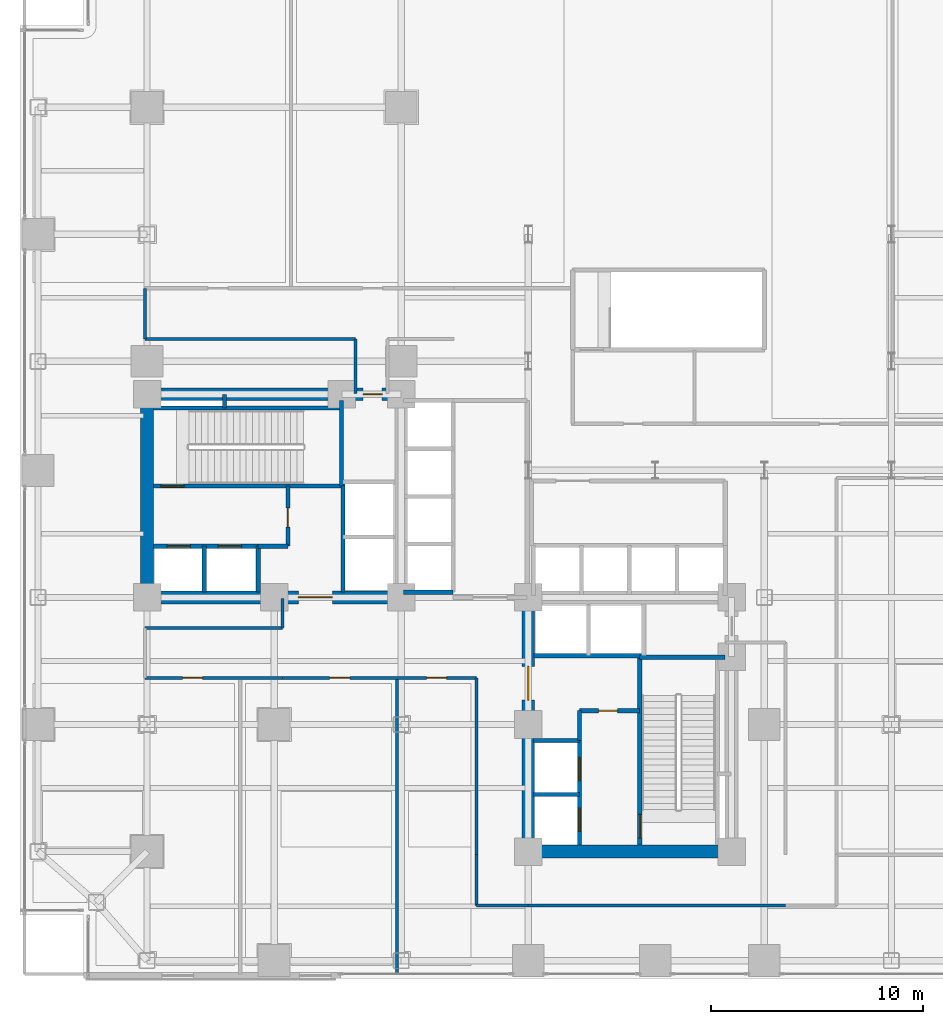
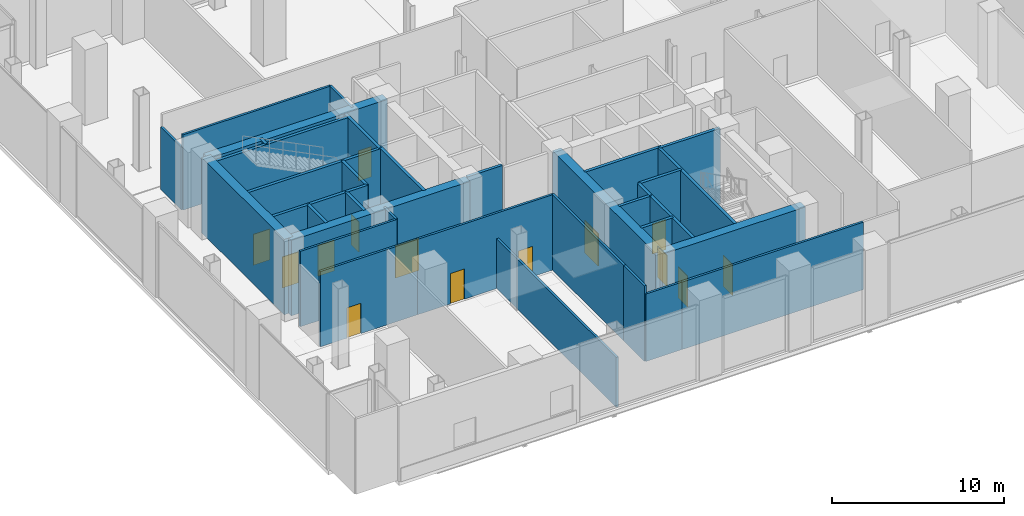
# One storey, part 21 of 27: 36 walls, 14 doors, 14 openings.
"""IFC4 building model written with IfcOpenShell, lengths in metres."""

from ifc_helpers import new_model, si_unit, direction, frame, frame_2d, origin, place, context, subcontext, project, spatial, rectangle, extrude, material, layer, layer_set, type_object, element, fill, save


model = new_model("IFC4")

# Units and contexts
model_context = context("Model", 3, precision=1e-05, world=origin(), true_north=direction((0.0, 1.0)))
body_context = subcontext(model_context, "Body", "Model", "MODEL_VIEW")
ifc_project = project(units=[si_unit("LENGTHUNIT", "METRE"), si_unit("AREAUNIT", "SQUARE_METRE"), si_unit("VOLUMEUNIT", "CUBIC_METRE"), si_unit("PLANEANGLEUNIT", "RADIAN"), si_unit("MASSUNIT", "GRAM", prefix="KILO"), si_unit("THERMODYNAMICTEMPERATUREUNIT", "KELVIN"), si_unit("POWERUNIT", "WATT")], contexts=[model_context])

# Site, building, storey
site_placement = place(None, origin())
site = spatial("IfcSite", under=ifc_project, at=site_placement, CompositionType="ELEMENT")
building_placement = place(site_placement, origin())
building = spatial("IfcBuilding", under=site, at=building_placement, Name="Svarakhadi Broadcast Tower", CompositionType="ELEMENT")
storey_placement = place(building_placement, frame((0.0, 0.0, 21.89990234375)))
storey = spatial("IfcBuildingStorey", under=building, at=storey_placement, Name="L04", CompositionType="ELEMENT", Elevation=21.89990234375)

# Walls
ifc_material_1 = material(Name="Concrete C40/50 (IS 456 M50)", Category="concrete")
ifc_layer_1 = layer(ifc_material_1, 0.199951171875)
ifc_layer_set_1 = layer_set([ifc_layer_1], Name="Concrete C40/50 (IS 456 M50)")
wall_type_1 = type_object("IfcWallType", Name="Wall_Fire_200", PredefinedType="SOLIDWALL", material=ifc_layer_set_1)
wall_1_placement = place(storey_placement, frame((9.659912109375, 26.93994140625, 0.0), z_axis=(0.0, 0.0, 1.0), x_axis=(0.0, 1.0, 0.0)))
element("IfcWall", 1, at=wall_1_placement, inside=storey, type_object=wall_type_1, Name="L04 Wet Riser Shaft East Wall", PredefinedType="SOLIDWALL", context=body_context, shape_type="SweptSolid", body=[
    extrude(rectangle(XDim=0.64013671875, YDim=0.199951171875, at=frame_2d((0.320068359375, 0.0))), origin(), (0.0, 0.0, 1.0), 5.35009765625),
])
ifc_material_2 = material(Name="Autoclaved Aerated Concrete Blockwork 150 mm", Category="masonry")
ifc_layer_2 = layer(ifc_material_2, 0.14990234375)
ifc_layer_set_2 = layer_set([ifc_layer_2], Name="Autoclaved Aerated Concrete Blockwork 150 mm")
wall_type_2 = type_object("IfcWallType", Name="Wall_Part_150", PredefinedType="PARTITIONING", material=ifc_layer_set_2)
wall_2_placement = place(storey_placement, frame((21.550048828125, 5.85009765625, 0.0), z_axis=(0.0, 0.0, 1.0), x_axis=(0.0, 1.0, 0.0)))
element("IfcWall", 2, at=wall_2_placement, inside=storey, type_object=wall_type_2, Name="L04 Podium Gallery Wall", PredefinedType="PARTITIONING", context=body_context, shape_type="SweptSolid", body=[
    extrude(rectangle(XDim=8.349853515625, YDim=0.14990234375, at=frame_2d((4.1748046875, 0.0))), origin(), (0.0, 0.0, 1.0), 5.35009765625),
])

# Wall, openings, doors
wall_3_placement = place(storey_placement, frame((21.550048828125, 14.199951171875, 0.0), z_axis=(0.0, 0.0, 1.0), x_axis=(-1.0, 0.0, 0.0)))
wall_3 = element("IfcWall", 3, at=wall_3_placement, inside=storey, type_object=wall_type_2, Name="L04 Podium Gallery Wall", PredefinedType="PARTITIONING", context=body_context, shape_type="SweptSolid", body=[
    extrude(rectangle(XDim=9.150146484375, YDim=0.14990234375, at=frame_2d((4.5751953125, 0.0))), origin(), (0.0, 0.0, 1.0), 5.35009765625),
])
opening_1_placement = place(wall_3_placement, frame((5.97509765625, 0.0, 0.0)))
opening_1 = element("IfcOpeningElement", 4, at=opening_1_placement, cuts=wall_3, Name="Opening D-07", PredefinedType="OPENING", context=body_context, shape_type="SweptSolid", body=[
    extrude(rectangle(XDim=0.949951171875, YDim=2.14990234375, at=frame_2d((0.47509765625, 1.074951171875))), frame((0.0, 0.0849609375, 0.0), z_axis=(0.0, -1.0, 0.0), x_axis=(1.0, 0.0, 0.0)), (0.0, 0.0, 1.0), 0.169921875),
])
opening_2_placement = place(wall_3_placement, frame((1.39990234375, 0.0, 0.0)))
opening_2 = element("IfcOpeningElement", 5, at=opening_2_placement, cuts=wall_3, Name="Opening D-06", PredefinedType="OPENING", context=body_context, shape_type="SweptSolid", body=[
    extrude(rectangle(XDim=0.949951171875, YDim=2.14990234375, at=frame_2d((0.47509765625, 1.074951171875))), frame((0.0, 0.0849609375, 0.0), z_axis=(0.0, -1.0, 0.0), x_axis=(1.0, 0.0, 0.0)), (0.0, 0.0, 1.0), 0.169921875),
])
ifc_material_3 = material(Name="Solid-Core Teak Veneer Acoustic Timber Leaf", Category="wood")
door_type_1 = type_object("IfcDoorType", Name="Door_Office_D06", OperationType="SINGLE_SWING_LEFT", PredefinedType="DOOR", material=ifc_material_3)
door_1_placement = place(opening_2_placement, origin())
door_1 = element("IfcDoor", 6, at=door_1_placement, inside=storey, type_object=door_type_1, Name="L04 L04 Crew Green Room and Pantry Door", OperationType="SINGLE_SWING_LEFT", OverallHeight=2.14990234375, OverallWidth=0.949951171875, PredefinedType="DOOR", context=body_context, shape_type="SweptSolid", body=[
    extrude(rectangle(XDim=0.949951171875, YDim=2.14990234375, at=frame_2d((0.47509765625, 1.074951171875))), frame((0.0, 0.02490234375, 0.0), z_axis=(0.0, -1.0, 0.0), x_axis=(1.0, 0.0, 0.0)), (0.0, 0.0, 1.0), 0.050048828125),
])
fill(opening_2, door_1)
door_type_2 = type_object("IfcDoorType", Name="Door_Office_D07", OperationType="SINGLE_SWING_RIGHT", PredefinedType="DOOR", material=ifc_material_3)
door_2_placement = place(opening_1_placement, origin())
door_2 = element("IfcDoor", 7, at=door_2_placement, inside=storey, type_object=door_type_2, Name="L04 L04 Audio Post-Production Mixing Room Door", OperationType="SINGLE_SWING_RIGHT", OverallHeight=2.14990234375, OverallWidth=0.949951171875, PredefinedType="DOOR", context=body_context, shape_type="SweptSolid", body=[
    extrude(rectangle(XDim=0.949951171875, YDim=2.14990234375, at=frame_2d((0.47509765625, 1.074951171875))), frame((0.0, 0.02490234375, 0.0), z_axis=(0.0, -1.0, 0.0), x_axis=(1.0, 0.0, 0.0)), (0.0, 0.0, 1.0), 0.050048828125),
])
fill(opening_1, door_2)

# Wall, opening, door
wall_4_placement = place(storey_placement, frame((12.39990234375, 14.199951171875, 0.0), z_axis=(0.0, 0.0, 1.0), x_axis=(-1.0, 0.0, 0.0)))
wall_4 = element("IfcWall", 8, at=wall_4_placement, inside=storey, type_object=wall_type_2, Name="L04 Podium Gallery Wall", PredefinedType="PARTITIONING", context=body_context, shape_type="SweptSolid", body=[
    extrude(rectangle(XDim=6.5, YDim=0.14990234375, at=frame_2d((3.25, 0.0))), origin(), (0.0, 0.0, 1.0), 5.35009765625),
])
opening_3_placement = place(wall_4_placement, frame((3.77490234375, 0.0, 0.0)))
opening_3 = element("IfcOpeningElement", 9, at=opening_3_placement, cuts=wall_4, Name="Opening D-07", PredefinedType="OPENING", context=body_context, shape_type="SweptSolid", body=[
    extrude(rectangle(XDim=0.949951171875, YDim=2.14990234375, at=frame_2d((0.47509765625, 1.074951171875))), frame((0.0, 0.0849609375, 0.0), z_axis=(0.0, -1.0, 0.0), x_axis=(1.0, 0.0, 0.0)), (0.0, 0.0, 1.0), 0.169921875),
])
door_3_placement = place(opening_3_placement, origin())
door_3 = element("IfcDoor", 10, at=door_3_placement, inside=storey, type_object=door_type_2, Name="L04 L04 Master Control Broadcast Room Door", OperationType="SINGLE_SWING_RIGHT", OverallHeight=2.14990234375, OverallWidth=0.949951171875, PredefinedType="DOOR", context=body_context, shape_type="SweptSolid", body=[
    extrude(rectangle(XDim=0.949951171875, YDim=2.14990234375, at=frame_2d((0.47509765625, 1.074951171875))), frame((0.0, 0.02490234375, 0.0), z_axis=(0.0, -1.0, 0.0), x_axis=(1.0, 0.0, 0.0)), (0.0, 0.0, 1.0), 0.050048828125),
])
fill(opening_3, door_3)

# Walls
wall_5_placement = place(storey_placement, frame((5.89990234375, 16.550048828125, 0.0), z_axis=(0.0, 0.0, 1.0), x_axis=(1.0, 0.0, 0.0)))
element("IfcWall", 11, at=wall_5_placement, inside=storey, type_object=wall_type_2, Name="L04 Podium Gallery Wall", PredefinedType="PARTITIONING", context=body_context, shape_type="SweptSolid", body=[
    extrude(rectangle(XDim=6.5, YDim=0.14990234375, at=frame_2d((3.25, 0.0))), origin(), (0.0, 0.0, 1.0), 5.35009765625),
])
wall_6_placement = place(storey_placement, frame((12.39990234375, 16.550048828125, 0.0), z_axis=(0.0, 0.0, 1.0), x_axis=(0.0, 1.0, 0.0)))
element("IfcWall", 12, at=wall_6_placement, inside=storey, type_object=wall_type_2, Name="L04 Podium Gallery Wall", PredefinedType="PARTITIONING", context=body_context, shape_type="SweptSolid", body=[
    extrude(rectangle(XDim=1.409912109375, YDim=0.14990234375, at=frame_2d((0.705078125, 0.0))), origin(), (0.0, 0.0, 1.0), 5.35009765625),
])
wall_7_placement = place(storey_placement, frame((15.85009765625, 27.6201171875, 0.0), z_axis=(0.0, 0.0, 1.0), x_axis=(0.0, 1.0, 0.0)))
element("IfcWall", 13, at=wall_7_placement, inside=storey, type_object=wall_type_2, Name="L04 Podium Gallery Wall", PredefinedType="PARTITIONING", context=body_context, shape_type="SweptSolid", body=[
    extrude(rectangle(XDim=2.579833984375, YDim=0.14990234375, at=frame_2d((1.2900390625, 0.0))), origin(), (0.0, 0.0, 1.0), 5.35009765625),
])
wall_8_placement = place(storey_placement, frame((15.85009765625, 30.199951171875, 0.0), z_axis=(0.0, 0.0, 1.0), x_axis=(-1.0, 0.0, 0.0)))
element("IfcWall", 14, at=wall_8_placement, inside=storey, type_object=wall_type_2, Name="L04 Podium Gallery Wall", PredefinedType="PARTITIONING", context=body_context, shape_type="SweptSolid", body=[
    extrude(rectangle(XDim=9.9501953125, YDim=0.14990234375, at=frame_2d((4.97509765625, 0.0))), origin(), (0.0, 0.0, 1.0), 5.35009765625),
])
wall_9_placement = place(storey_placement, frame((5.89990234375, 30.199951171875, 0.0), z_axis=(0.0, 0.0, 1.0), x_axis=(0.0, 1.0, 0.0)))
element("IfcWall", 15, at=wall_9_placement, inside=storey, type_object=wall_type_2, Name="L04 Podium Gallery Wall", PredefinedType="PARTITIONING", context=body_context, shape_type="SweptSolid", body=[
    extrude(rectangle(XDim=2.400146484375, YDim=0.14990234375, at=frame_2d((1.2001953125, 0.0))), origin(), (0.0, 0.0, 1.0), 4.442138671875),
])
wall_10_placement = place(storey_placement, frame((36.14990234375, 3.449951171875, 0.0), z_axis=(0.0, 0.0, 1.0), x_axis=(-1.0, 0.0, 0.0)))
element("IfcWall", 16, at=wall_10_placement, inside=storey, type_object=wall_type_2, Name="L04 Podium Gallery Wall", PredefinedType="PARTITIONING", context=body_context, shape_type="SweptSolid", body=[
    extrude(rectangle(XDim=12.169921875, YDim=0.14990234375, at=frame_2d((6.0849609375, 0.0))), origin(), (0.0, 0.0, 1.0), 4.7919921875),
])
wall_11_placement = place(storey_placement, frame((23.97998046875, 3.449951171875, 0.0), z_axis=(0.0, 0.0, 1.0), x_axis=(-1.0, 0.0, 0.0)))
element("IfcWall", 17, at=wall_11_placement, inside=storey, type_object=wall_type_2, Name="L04 Podium Gallery Wall", PredefinedType="PARTITIONING", context=body_context, shape_type="SweptSolid", body=[
    extrude(rectangle(XDim=2.429931640625, YDim=0.14990234375, at=frame_2d((1.21484375, 0.0))), origin(), (0.0, 0.0, 1.0), 4.7919921875),
])
wall_12_placement = place(storey_placement, frame((21.550048828125, 3.449951171875, 0.0), z_axis=(0.0, 0.0, 1.0), x_axis=(0.0, 1.0, 0.0)))
element("IfcWall", 18, at=wall_12_placement, inside=storey, type_object=wall_type_2, Name="L04 Podium Gallery Wall", PredefinedType="PARTITIONING", context=body_context, shape_type="SweptSolid", body=[
    extrude(rectangle(XDim=2.400146484375, YDim=0.14990234375, at=frame_2d((1.2001953125, 0.0))), origin(), (0.0, 0.0, 1.0), 5.35009765625),
])
wall_13_placement = place(storey_placement, frame((17.800048828125, 0.219970703125, 0.0), z_axis=(0.0, 0.0, 1.0), x_axis=(0.0, 1.0, 0.0)))
element("IfcWall", 19, at=wall_13_placement, inside=storey, type_object=wall_type_2, Name="L04 L04 Audio Post-Production Mixing Room Wall", PredefinedType="PARTITIONING", context=body_context, shape_type="SweptSolid", body=[
    extrude(rectangle(XDim=13.97998046875, YDim=0.14990234375, at=frame_2d((6.989990234375, 0.0))), origin(), (0.0, 0.0, 1.0), 3.5419921875),
])

# Wall, opening, door
ifc_material_4 = material(Name="Concrete C50/60 (IS 456 M60)", Category="concrete")
ifc_layer_3 = layer(ifc_material_4, 0.199951171875)
ifc_layer_set_3 = layer_set([ifc_layer_3], Name="Concrete C50/60 (IS 456 M60)")
wall_type_3 = type_object("IfcWallType", Name="Wall_Shear_200", PredefinedType="SHEAR", material=ifc_layer_set_3)
wall_14_placement = place(storey_placement, frame((6.300048828125, 23.260009765625, 0.0), z_axis=(0.0, 0.0, 1.0), x_axis=(1.0, 0.0, 0.0)))
wall_14 = element("IfcWall", 20, at=wall_14_placement, inside=storey, type_object=wall_type_3, Name="L04 Stair ST-01 South RC Shaft Wall", PredefinedType="SHEAR", context=body_context, shape_type="SweptSolid", body=[
    extrude(rectangle(XDim=8.8798828125, YDim=0.199951171875, at=frame_2d((4.43994140625, 0.0))), origin(), (0.0, 0.0, 1.0), 5.35009765625),
])
opening_4_placement = place(wall_14_placement, frame((0.35009765625, 0.0, 0.0)))
opening_4 = element("IfcOpeningElement", 21, at=opening_4_placement, cuts=wall_14, Name="Opening D-01", PredefinedType="OPENING", context=body_context, shape_type="SweptSolid", body=[
    extrude(rectangle(XDim=1.10009765625, YDim=2.199951171875, at=frame_2d((0.550048828125, 1.10009765625))), frame((0.0, 0.10986328125, 0.0), z_axis=(0.0, -1.0, 0.0), x_axis=(1.0, 0.0, 0.0)), (0.0, 0.0, 1.0), 0.219970703125),
])
ifc_material_5 = material(Name="Galvanised Powder-Coated Fire-Rated Steel Leaf", Category="steel")
door_type_3 = type_object("IfcDoorType", Name="Door_Stair_D01", OperationType="SINGLE_SWING_LEFT", PredefinedType="DOOR", material=ifc_material_5)
door_4_placement = place(opening_4_placement, origin())
door_4 = element("IfcDoor", 22, at=door_4_placement, inside=storey, type_object=door_type_3, Name="L04 Protected Exit Stair ST-01 Fire Door", OperationType="SINGLE_SWING_LEFT", OverallHeight=2.199951171875, OverallWidth=1.10009765625, PredefinedType="DOOR", context=body_context, shape_type="SweptSolid", body=[
    extrude(rectangle(XDim=1.10009765625, YDim=2.199951171875, at=frame_2d((0.550048828125, 1.10009765625))), frame((0.0, 0.02490234375, 0.0), z_axis=(0.0, -1.0, 0.0), x_axis=(1.0, 0.0, 0.0)), (0.0, 0.0, 1.0), 0.050048828125),
])
fill(opening_4, door_4)

# Walls
wall_15_placement = place(storey_placement, frame((6.300048828125, 26.93994140625, 0.0), z_axis=(0.0, 0.0, 1.0), x_axis=(1.0, 0.0, 0.0)))
element("IfcWall", 23, at=wall_15_placement, inside=storey, type_object=wall_type_3, Name="L04 Stair ST-01 North RC Shaft Wall", PredefinedType="SHEAR", context=body_context, shape_type="SweptSolid", body=[
    extrude(rectangle(XDim=8.8798828125, YDim=0.199951171875, at=frame_2d((4.43994140625, 0.0))), origin(), (0.0, 0.0, 1.0), 5.35009765625),
])
wall_16_placement = place(storey_placement, frame((15.179931640625, 23.260009765625, 0.0), z_axis=(0.0, 0.0, 1.0), x_axis=(0.0, 1.0, 0.0)))
element("IfcWall", 24, at=wall_16_placement, inside=storey, type_object=wall_type_3, Name="L04 Stair ST-01 East RC Shaft Wall", PredefinedType="SHEAR", context=body_context, shape_type="SweptSolid", body=[
    extrude(rectangle(XDim=4.0400390625, YDim=0.199951171875, at=frame_2d((2.02001953125, 0.0))), origin(), (0.0, 0.0, 1.0), 5.35009765625),
])

# Wall, opening, door
wall_17_placement = place(storey_placement, frame((29.260009765625, 6.300048828125, 0.0), z_axis=(0.0, 0.0, 1.0), x_axis=(0.0, 1.0, 0.0)))
wall_17 = element("IfcWall", 25, at=wall_17_placement, inside=storey, type_object=wall_type_3, Name="L04 Stair ST-02 West RC Shaft Wall", PredefinedType="SHEAR", context=body_context, shape_type="SweptSolid", body=[
    extrude(rectangle(XDim=8.8798828125, YDim=0.199951171875, at=frame_2d((4.43994140625, 0.0))), origin(), (0.0, 0.0, 1.0), 5.35009765625),
])
opening_5_placement = place(wall_17_placement, frame((0.35009765625, 0.0, 0.0)))
opening_5 = element("IfcOpeningElement", 26, at=opening_5_placement, cuts=wall_17, Name="Opening D-02", PredefinedType="OPENING", context=body_context, shape_type="SweptSolid", body=[
    extrude(rectangle(XDim=1.10009765625, YDim=2.199951171875, at=frame_2d((0.550048828125, 1.10009765625))), frame((0.0, 0.10986328125, 0.0), z_axis=(0.0, -1.0, 0.0), x_axis=(1.0, 0.0, 0.0)), (0.0, 0.0, 1.0), 0.219970703125),
])
door_type_4 = type_object("IfcDoorType", Name="Door_Stair_D02", OperationType="SINGLE_SWING_RIGHT", PredefinedType="DOOR", material=ifc_material_5)
door_5_placement = place(opening_5_placement, origin())
door_5 = element("IfcDoor", 27, at=door_5_placement, inside=storey, type_object=door_type_4, Name="L04 Protected Exit Stair ST-02 Fire Door", OperationType="SINGLE_SWING_RIGHT", OverallHeight=2.199951171875, OverallWidth=1.10009765625, PredefinedType="DOOR", context=body_context, shape_type="SweptSolid", body=[
    extrude(rectangle(XDim=1.10009765625, YDim=2.199951171875, at=frame_2d((0.550048828125, 1.10009765625))), frame((0.0, 0.02490234375, 0.0), z_axis=(0.0, -1.0, 0.0), x_axis=(1.0, 0.0, 0.0)), (0.0, 0.0, 1.0), 0.050048828125),
])
fill(opening_5, door_5)

# Wall
wall_18_placement = place(storey_placement, frame((29.260009765625, 15.179931640625, 0.0), z_axis=(0.0, 0.0, 1.0), x_axis=(1.0, 0.0, 0.0)))
element("IfcWall", 28, at=wall_18_placement, inside=storey, type_object=wall_type_3, Name="L04 Stair ST-02 North RC Shaft Wall", PredefinedType="SHEAR", context=body_context, shape_type="SweptSolid", body=[
    extrude(rectangle(XDim=4.0400390625, YDim=0.199951171875, at=frame_2d((2.02001953125, 0.0))), origin(), (0.0, 0.0, 1.0), 5.35009765625),
])

# Wall, openings, doors
wall_19_placement = place(storey_placement, frame((6.300048828125, 20.419921875, 0.0), z_axis=(0.0, 0.0, 1.0), x_axis=(1.0, 0.0, 0.0)))
wall_19 = element("IfcWall", 29, at=wall_19_placement, inside=storey, type_object=wall_type_3, Name="L04 Firefighting Lift LF-01/02 Shaft Wall", PredefinedType="SHEAR", context=body_context, shape_type="SweptSolid", body=[
    extrude(rectangle(XDim=4.949951171875, YDim=0.199951171875, at=frame_2d((2.47509765625, 0.0))), origin(), (0.0, 0.0, 1.0), 5.35009765625),
])
opening_6_placement = place(wall_19_placement, frame((0.64990234375, 0.0, 0.0)))
opening_6 = element("IfcOpeningElement", 30, at=opening_6_placement, cuts=wall_19, Name="Opening LD-01", PredefinedType="OPENING", context=body_context, shape_type="SweptSolid", body=[
    extrude(rectangle(XDim=1.10009765625, YDim=2.199951171875, at=frame_2d((0.550048828125, 1.10009765625))), frame((0.0, 0.10986328125, 0.0), z_axis=(0.0, -1.0, 0.0), x_axis=(1.0, 0.0, 0.0)), (0.0, 0.0, 1.0), 0.219970703125),
])
opening_7_placement = place(wall_19_placement, frame((3.050048828125, 0.0, 0.0)))
opening_7 = element("IfcOpeningElement", 31, at=opening_7_placement, cuts=wall_19, Name="Opening LD-01", PredefinedType="OPENING", context=body_context, shape_type="SweptSolid", body=[
    extrude(rectangle(XDim=1.10009765625, YDim=2.199951171875, at=frame_2d((0.550048828125, 1.10009765625))), frame((0.0, 0.10986328125, 0.0), z_axis=(0.0, -1.0, 0.0), x_axis=(1.0, 0.0, 0.0)), (0.0, 0.0, 1.0), 0.219970703125),
])
door_type_5 = type_object("IfcDoorType", Name="Door_Lift_LD01", OperationType="SLIDING_TO_LEFT", PredefinedType="DOOR", material=ifc_material_5)
door_6_placement = place(opening_6_placement, origin())
door_6 = element("IfcDoor", 32, at=door_6_placement, inside=storey, type_object=door_type_5, Name="L04 Firefighting Lift LF-01 Landing Door", OperationType="SLIDING_TO_LEFT", OverallHeight=2.199951171875, OverallWidth=1.10009765625, PredefinedType="DOOR", context=body_context, shape_type="SweptSolid", body=[
    extrude(rectangle(XDim=1.10009765625, YDim=2.199951171875, at=frame_2d((0.550048828125, 1.10009765625))), frame((0.0, 0.02490234375, 0.0), z_axis=(0.0, -1.0, 0.0), x_axis=(1.0, 0.0, 0.0)), (0.0, 0.0, 1.0), 0.050048828125),
])
fill(opening_6, door_6)
door_7_placement = place(opening_7_placement, origin())
door_7 = element("IfcDoor", 33, at=door_7_placement, inside=storey, type_object=door_type_5, Name="L04 Firefighting Lift LF-02 Landing Door", OperationType="SLIDING_TO_LEFT", OverallHeight=2.199951171875, OverallWidth=1.10009765625, PredefinedType="DOOR", context=body_context, shape_type="SweptSolid", body=[
    extrude(rectangle(XDim=1.10009765625, YDim=2.199951171875, at=frame_2d((0.550048828125, 1.10009765625))), frame((0.0, 0.02490234375, 0.0), z_axis=(0.0, -1.0, 0.0), x_axis=(1.0, 0.0, 0.0)), (0.0, 0.0, 1.0), 0.050048828125),
])
fill(opening_7, door_7)

# Walls
for number, where, z_axis, x_axis, name in (
    (34, (8.699951171875, 18.25, 0.0), (0.0, 0.0, 1.0), (0.0, 1.0, 0.0), "L04 Firefighting Lift LF-01/02 Divider Wall"),
    (35, (11.25, 18.25, 0.0), (0.0, 0.0, 1.0), (0.0, 1.0, 0.0), "L04 Firefighting Lift LF-02 East Wall"),
):
    element("IfcWall", number, at=place(storey_placement, frame(where, z_axis=z_axis, x_axis=x_axis)), inside=storey, type_object=wall_type_3, Name=name, PredefinedType="SHEAR", context=body_context, shape_type="SweptSolid", body=[
        extrude(rectangle(XDim=2.169921875, YDim=0.199951171875, at=frame_2d((1.0849609375, 0.0))), origin(), (0.0, 0.0, 1.0), 5.35009765625),
    ])
wall_20_placement = place(storey_placement, frame((11.25, 20.419921875, 0.0), z_axis=(0.0, 0.0, 1.0), x_axis=(1.0, 0.0, 0.0)))
element("IfcWall", 36, at=wall_20_placement, inside=storey, type_object=wall_type_3, Name="L04 West Firefighting Lobby South Wall", PredefinedType="SHEAR", context=body_context, shape_type="SweptSolid", body=[
    extrude(rectangle(XDim=1.39990234375, YDim=0.199951171875, at=frame_2d((0.699951171875, 0.0))), origin(), (0.0, 0.0, 1.0), 5.35009765625),
])

# Wall, opening, door
wall_21_placement = place(storey_placement, frame((12.64990234375, 20.419921875, 0.0), z_axis=(0.0, 0.0, 1.0), x_axis=(0.0, 1.0, 0.0)))
wall_21 = element("IfcWall", 37, at=wall_21_placement, inside=storey, type_object=wall_type_3, Name="L04 West Firefighting Lobby East Wall", PredefinedType="SHEAR", context=body_context, shape_type="SweptSolid", body=[
    extrude(rectangle(XDim=2.840087890625, YDim=0.199951171875, at=frame_2d((1.419921875, 0.0))), origin(), (0.0, 0.0, 1.0), 5.35009765625),
])
opening_8_placement = place(wall_21_placement, frame((0.89990234375, 0.0, 0.0)))
opening_8 = element("IfcOpeningElement", 38, at=opening_8_placement, cuts=wall_21, Name="Opening D-04", PredefinedType="OPENING", context=body_context, shape_type="SweptSolid", body=[
    extrude(rectangle(XDim=0.89990234375, YDim=2.14990234375, at=frame_2d((0.449951171875, 1.074951171875))), frame((0.0, 0.10986328125, 0.0), z_axis=(0.0, -1.0, 0.0), x_axis=(1.0, 0.0, 0.0)), (0.0, 0.0, 1.0), 0.219970703125),
])
door_type_6 = type_object("IfcDoorType", Name="Door_Fire_D04", OperationType="SINGLE_SWING_RIGHT", PredefinedType="DOOR", material=ifc_material_5)
door_8_placement = place(opening_8_placement, origin())
door_8 = element("IfcDoor", 39, at=door_8_placement, inside=storey, type_object=door_type_6, Name="L04 West Firefighting Lobby Fire Door", OperationType="SINGLE_SWING_RIGHT", OverallHeight=2.14990234375, OverallWidth=0.89990234375, PredefinedType="DOOR", context=body_context, shape_type="SweptSolid", body=[
    extrude(rectangle(XDim=0.89990234375, YDim=2.14990234375, at=frame_2d((0.449951171875, 1.074951171875))), frame((0.0, 0.02490234375, 0.0), z_axis=(0.0, -1.0, 0.0), x_axis=(1.0, 0.0, 0.0)), (0.0, 0.0, 1.0), 0.050048828125),
])
fill(opening_8, door_8)

# Wall, openings, doors
wall_22_placement = place(storey_placement, frame((26.419921875, 6.300048828125, 0.0), z_axis=(0.0, 0.0, 1.0), x_axis=(0.0, 1.0, 0.0)))
wall_22 = element("IfcWall", 40, at=wall_22_placement, inside=storey, type_object=wall_type_3, Name="L04 Firefighting Lift LF-03/04 Shaft Wall", PredefinedType="SHEAR", context=body_context, shape_type="SweptSolid", body=[
    extrude(rectangle(XDim=4.949951171875, YDim=0.199951171875, at=frame_2d((2.47509765625, 0.0))), origin(), (0.0, 0.0, 1.0), 5.35009765625),
])
opening_9_placement = place(wall_22_placement, frame((0.64990234375, 0.0, 0.0)))
opening_9 = element("IfcOpeningElement", 41, at=opening_9_placement, cuts=wall_22, Name="Opening LD-01", PredefinedType="OPENING", context=body_context, shape_type="SweptSolid", body=[
    extrude(rectangle(XDim=1.10009765625, YDim=2.199951171875, at=frame_2d((0.550048828125, 1.10009765625))), frame((0.0, 0.10986328125, 0.0), z_axis=(0.0, -1.0, 0.0), x_axis=(1.0, 0.0, 0.0)), (0.0, 0.0, 1.0), 0.219970703125),
])
opening_10_placement = place(wall_22_placement, frame((3.050048828125, 0.0, 0.0)))
opening_10 = element("IfcOpeningElement", 42, at=opening_10_placement, cuts=wall_22, Name="Opening LD-01", PredefinedType="OPENING", context=body_context, shape_type="SweptSolid", body=[
    extrude(rectangle(XDim=1.10009765625, YDim=2.199951171875, at=frame_2d((0.550048828125, 1.10009765625))), frame((0.0, 0.10986328125, 0.0), z_axis=(0.0, -1.0, 0.0), x_axis=(1.0, 0.0, 0.0)), (0.0, 0.0, 1.0), 0.219970703125),
])
door_9_placement = place(opening_9_placement, origin())
door_9 = element("IfcDoor", 43, at=door_9_placement, inside=storey, type_object=door_type_5, Name="L04 Firefighting Lift LF-03 Landing Door", OperationType="SLIDING_TO_LEFT", OverallHeight=2.199951171875, OverallWidth=1.10009765625, PredefinedType="DOOR", context=body_context, shape_type="SweptSolid", body=[
    extrude(rectangle(XDim=1.10009765625, YDim=2.199951171875, at=frame_2d((0.550048828125, 1.10009765625))), frame((0.0, 0.02490234375, 0.0), z_axis=(0.0, -1.0, 0.0), x_axis=(1.0, 0.0, 0.0)), (0.0, 0.0, 1.0), 0.050048828125),
])
fill(opening_9, door_9)
door_10_placement = place(opening_10_placement, origin())
door_10 = element("IfcDoor", 44, at=door_10_placement, inside=storey, type_object=door_type_5, Name="L04 Firefighting Lift LF-04 Landing Door", OperationType="SLIDING_TO_LEFT", OverallHeight=2.199951171875, OverallWidth=1.10009765625, PredefinedType="DOOR", context=body_context, shape_type="SweptSolid", body=[
    extrude(rectangle(XDim=1.10009765625, YDim=2.199951171875, at=frame_2d((0.550048828125, 1.10009765625))), frame((0.0, 0.02490234375, 0.0), z_axis=(0.0, -1.0, 0.0), x_axis=(1.0, 0.0, 0.0)), (0.0, 0.0, 1.0), 0.050048828125),
])
fill(opening_10, door_10)

# Walls
for number, where, z_axis, x_axis, name in (
    (45, (24.25, 8.699951171875, 0.0), (0.0, 0.0, 1.0), (1.0, 0.0, 0.0), "L04 Firefighting Lift LF-03/04 Divider Wall"),
    (46, (24.25, 11.25, 0.0), (0.0, 0.0, 1.0), (1.0, 0.0, 0.0), "L04 Firefighting Lift LF-04 North Wall"),
):
    element("IfcWall", number, at=place(storey_placement, frame(where, z_axis=z_axis, x_axis=x_axis)), inside=storey, type_object=wall_type_3, Name=name, PredefinedType="SHEAR", context=body_context, shape_type="SweptSolid", body=[
        extrude(rectangle(XDim=2.169921875, YDim=0.199951171875, at=frame_2d((1.0849609375, 0.0))), origin(), (0.0, 0.0, 1.0), 5.35009765625),
    ])
wall_23_placement = place(storey_placement, frame((26.419921875, 11.25, 0.0), z_axis=(0.0, 0.0, 1.0), x_axis=(0.0, 1.0, 0.0)))
element("IfcWall", 47, at=wall_23_placement, inside=storey, type_object=wall_type_3, Name="L04 East Firefighting Lobby West Wall", PredefinedType="SHEAR", context=body_context, shape_type="SweptSolid", body=[
    extrude(rectangle(XDim=1.39990234375, YDim=0.199951171875, at=frame_2d((0.699951171875, 0.0))), origin(), (0.0, 0.0, 1.0), 5.35009765625),
])

# Wall, opening, door
wall_24_placement = place(storey_placement, frame((26.419921875, 12.64990234375, 0.0), z_axis=(0.0, 0.0, 1.0), x_axis=(1.0, 0.0, 0.0)))
wall_24 = element("IfcWall", 48, at=wall_24_placement, inside=storey, type_object=wall_type_3, Name="L04 East Firefighting Lobby North Wall", PredefinedType="SHEAR", context=body_context, shape_type="SweptSolid", body=[
    extrude(rectangle(XDim=2.840087890625, YDim=0.199951171875, at=frame_2d((1.419921875, 0.0))), origin(), (0.0, 0.0, 1.0), 5.35009765625),
])
opening_11_placement = place(wall_24_placement, frame((0.89990234375, 0.0, 0.0)))
opening_11 = element("IfcOpeningElement", 49, at=opening_11_placement, cuts=wall_24, Name="Opening D-03", PredefinedType="OPENING", context=body_context, shape_type="SweptSolid", body=[
    extrude(rectangle(XDim=0.89990234375, YDim=2.14990234375, at=frame_2d((0.449951171875, 1.074951171875))), frame((0.0, 0.10986328125, 0.0), z_axis=(0.0, -1.0, 0.0), x_axis=(1.0, 0.0, 0.0)), (0.0, 0.0, 1.0), 0.219970703125),
])
door_type_7 = type_object("IfcDoorType", Name="Door_Fire_D03", OperationType="SINGLE_SWING_LEFT", PredefinedType="DOOR", material=ifc_material_5)
door_11_placement = place(opening_11_placement, origin())
door_11 = element("IfcDoor", 50, at=door_11_placement, inside=storey, type_object=door_type_7, Name="L04 East Firefighting Lobby Fire Door", OperationType="SINGLE_SWING_LEFT", OverallHeight=2.14990234375, OverallWidth=0.89990234375, PredefinedType="DOOR", context=body_context, shape_type="SweptSolid", body=[
    extrude(rectangle(XDim=0.89990234375, YDim=2.14990234375, at=frame_2d((0.449951171875, 1.074951171875))), frame((0.0, 0.02490234375, 0.0), z_axis=(0.0, -1.0, 0.0), x_axis=(1.0, 0.0, 0.0)), (0.0, 0.0, 1.0), 0.050048828125),
])
fill(opening_11, door_11)

# Walls
for number, where, z_axis, x_axis, name in (
    (51, (15.25, 18.25, 0.0), (0.0, 0.0, 1.0), (0.0, 1.0, 0.0), "L04 High-Rise Lift LF-13/14 West Shaft Wall"),
    (52, (24.25, 15.25, 0.0), (0.0, 0.0, 1.0), (1.0, 0.0, 0.0), "L04 High-Rise Lift LF-15/16 South Shaft Wall"),
):
    element("IfcWall", number, at=place(storey_placement, frame(where, z_axis=z_axis, x_axis=x_axis)), inside=storey, type_object=wall_type_3, Name=name, PredefinedType="SHEAR", context=body_context, shape_type="SweptSolid", body=[
        extrude(rectangle(XDim=5.199951171875, YDim=0.199951171875, at=frame_2d((2.60009765625, 0.0))), origin(), (0.0, 0.0, 1.0), 5.35009765625),
    ])
wall_25_placement = place(storey_placement, frame((18.10009765625, 18.25, 0.0), z_axis=(0.0, 0.0, 1.0), x_axis=(1.0, 0.0, 0.0)))
element("IfcWall", 53, at=wall_25_placement, inside=storey, type_object=wall_type_3, Name="L04 Bank A South Shaft Wall", PredefinedType="SHEAR", context=body_context, shape_type="SweptSolid", body=[
    extrude(rectangle(XDim=2.349853515625, YDim=0.199951171875, at=frame_2d((1.1748046875, 0.0))), origin(), (0.0, 0.0, 1.0), 5.35009765625),
])

# Wall, opening, door
ifc_material_6 = material(Name="Concrete C60/75 (IS 456 M70)", Category="concrete")
ifc_layer_4 = layer(ifc_material_6, 0.60009765625)
ifc_layer_set_4 = layer_set([ifc_layer_4], Name="Concrete C60/75 (IS 456 M70)")
wall_type_4 = type_object("IfcWallType", Name="Wall_Shear_600", PredefinedType="SHEAR", material=ifc_layer_set_4)
wall_26_placement = place(storey_placement, frame((6.0, 18.0, 0.0), z_axis=(0.0, 0.0, 1.0), x_axis=(1.0, 0.0, 0.0)))
wall_26 = element("IfcWall", 54, at=wall_26_placement, inside=storey, type_object=wall_type_4, Name="L04 West Core South Shear Wall", PredefinedType="SHEAR", context=body_context, shape_type="SweptSolid", body=[
    extrude(rectangle(XDim=12.0, YDim=0.60009765625, at=frame_2d((6.0, 0.0))), origin(), (0.0, 0.0, 1.0), 5.35009765625),
])
opening_12_placement = place(wall_26_placement, frame((7.14990234375, 0.0, 0.0)))
opening_12 = element("IfcOpeningElement", 55, at=opening_12_placement, cuts=wall_26, Name="Opening D-05", PredefinedType="OPENING", context=body_context, shape_type="SweptSolid", body=[
    extrude(rectangle(XDim=1.60009765625, YDim=2.300048828125, at=frame_2d((0.800048828125, 1.14990234375))), frame((0.0, 0.31005859375, 0.0), z_axis=(0.0, -1.0, 0.0), x_axis=(1.0, 0.0, 0.0)), (0.0, 0.0, 1.0), 0.6201171875),
])
ifc_material_7 = material(Name="Anodised Bronze Aluminium AA 6063-T6", Category="aluminium")
door_type_8 = type_object("IfcDoorType", Name="Door_Lobby_D05", OperationType="DOUBLE_DOOR_SLIDING", PredefinedType="DOOR", material=ifc_material_7)
door_12_placement = place(opening_12_placement, origin())
door_12 = element("IfcDoor", 56, at=door_12_placement, inside=storey, type_object=door_type_8, Name="L04 West Core Passenger Lift Lobby Entrance Door", OperationType="DOUBLE_DOOR_SLIDING", OverallHeight=2.300048828125, OverallWidth=1.60009765625, PredefinedType="DOOR", context=body_context, shape_type="SweptSolid", body=[
    extrude(rectangle(XDim=1.60009765625, YDim=2.300048828125, at=frame_2d((0.800048828125, 1.14990234375))), frame((0.0, 0.02490234375, 0.0), z_axis=(0.0, -1.0, 0.0), x_axis=(1.0, 0.0, 0.0)), (0.0, 0.0, 1.0), 0.050048828125),
])
fill(opening_12, door_12)

wall_27_placement = place(storey_placement, frame((6.0, 27.60009765625, 0.0), z_axis=(0.0, 0.0, 1.0), x_axis=(1.0, 0.0, 0.0)))
wall_27 = element("IfcWall", 57, at=wall_27_placement, inside=storey, type_object=wall_type_4, Name="L04 West Core North Shear Wall", PredefinedType="SHEAR", context=body_context, shape_type="SweptSolid", body=[
    extrude(rectangle(XDim=12.0, YDim=0.60009765625, at=frame_2d((6.0, 0.0))), origin(), (0.0, 0.0, 1.0), 5.35009765625),
])
opening_13_placement = place(wall_27_placement, frame((10.199951171875, 0.0, 0.0)))
opening_13 = element("IfcOpeningElement", 58, at=opening_13_placement, cuts=wall_27, Name="Opening D-03", PredefinedType="OPENING", context=body_context, shape_type="SweptSolid", body=[
    extrude(rectangle(XDim=0.89990234375, YDim=2.14990234375, at=frame_2d((0.449951171875, 1.074951171875))), frame((0.0, 0.31005859375, 0.0), z_axis=(0.0, -1.0, 0.0), x_axis=(1.0, 0.0, 0.0)), (0.0, 0.0, 1.0), 0.6201171875),
])
door_13_placement = place(opening_13_placement, origin())
door_13 = element("IfcDoor", 59, at=door_13_placement, inside=storey, type_object=door_type_7, Name="L04 Core Service Room West Door", OperationType="SINGLE_SWING_LEFT", OverallHeight=2.14990234375, OverallWidth=0.89990234375, PredefinedType="DOOR", context=body_context, shape_type="SweptSolid", body=[
    extrude(rectangle(XDim=0.89990234375, YDim=2.14990234375, at=frame_2d((0.449951171875, 1.074951171875))), frame((0.0, 0.02490234375, 0.0), z_axis=(0.0, -1.0, 0.0), x_axis=(1.0, 0.0, 0.0)), (0.0, 0.0, 1.0), 0.050048828125),
])
fill(opening_13, door_13)

# Walls
for number, where, z_axis, x_axis, name in (
    (60, (6.0, 18.0, 0.0), (0.0, 0.0, 1.0), (0.0, 1.0, 0.0), "L04 West Core West Shear Wall"),
    (61, (24.0, 6.0, 0.0), (0.0, 0.0, 1.0), (1.0, 0.0, 0.0), "L04 East Core South Shear Wall"),
):
    element("IfcWall", number, at=place(storey_placement, frame(where, z_axis=z_axis, x_axis=x_axis)), inside=storey, type_object=wall_type_4, Name=name, PredefinedType="SHEAR", context=body_context, shape_type="SweptSolid", body=[
        extrude(rectangle(XDim=9.60009765625, YDim=0.60009765625, at=frame_2d((4.800048828125, 0.0))), origin(), (0.0, 0.0, 1.0), 5.35009765625),
    ])

# Wall, opening, door
wall_28_placement = place(storey_placement, frame((24.0, 6.0, 0.0), z_axis=(0.0, 0.0, 1.0), x_axis=(0.0, 1.0, 0.0)))
wall_28 = element("IfcWall", 62, at=wall_28_placement, inside=storey, type_object=wall_type_4, Name="L04 East Core West Shear Wall", PredefinedType="SHEAR", context=body_context, shape_type="SweptSolid", body=[
    extrude(rectangle(XDim=12.0, YDim=0.60009765625, at=frame_2d((6.0, 0.0))), origin(), (0.0, 0.0, 1.0), 5.35009765625),
])
opening_14_placement = place(wall_28_placement, frame((7.14990234375, 0.0, 0.0)))
opening_14 = element("IfcOpeningElement", 63, at=opening_14_placement, cuts=wall_28, Name="Opening D-05", PredefinedType="OPENING", context=body_context, shape_type="SweptSolid", body=[
    extrude(rectangle(XDim=1.60009765625, YDim=2.300048828125, at=frame_2d((0.800048828125, 1.14990234375))), frame((0.0, 0.31005859375, 0.0), z_axis=(0.0, -1.0, 0.0), x_axis=(1.0, 0.0, 0.0)), (0.0, 0.0, 1.0), 0.6201171875),
])
door_14_placement = place(opening_14_placement, origin())
door_14 = element("IfcDoor", 64, at=door_14_placement, inside=storey, type_object=door_type_8, Name="L04 East Core Passenger Lift Lobby Entrance Door", OperationType="DOUBLE_DOOR_SLIDING", OverallHeight=2.300048828125, OverallWidth=1.60009765625, PredefinedType="DOOR", context=body_context, shape_type="SweptSolid", body=[
    extrude(rectangle(XDim=1.60009765625, YDim=2.300048828125, at=frame_2d((0.800048828125, 1.14990234375))), frame((0.0, 0.02490234375, 0.0), z_axis=(0.0, -1.0, 0.0), x_axis=(1.0, 0.0, 0.0)), (0.0, 0.0, 1.0), 0.050048828125),
])
fill(opening_14, door_14)

save(model, "model.ifc")
